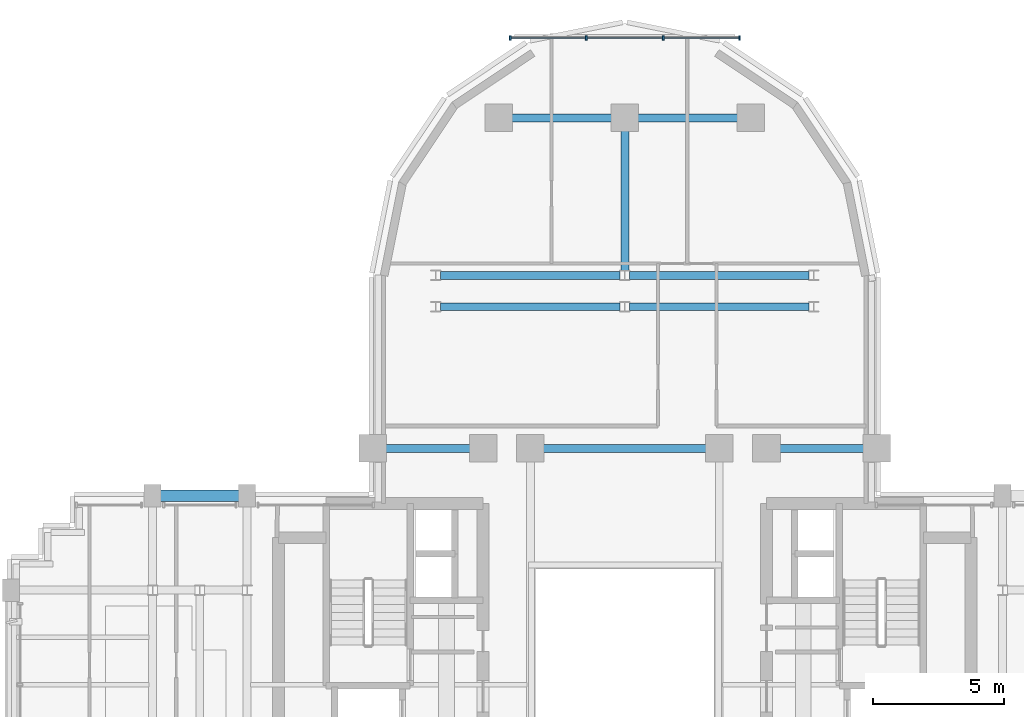
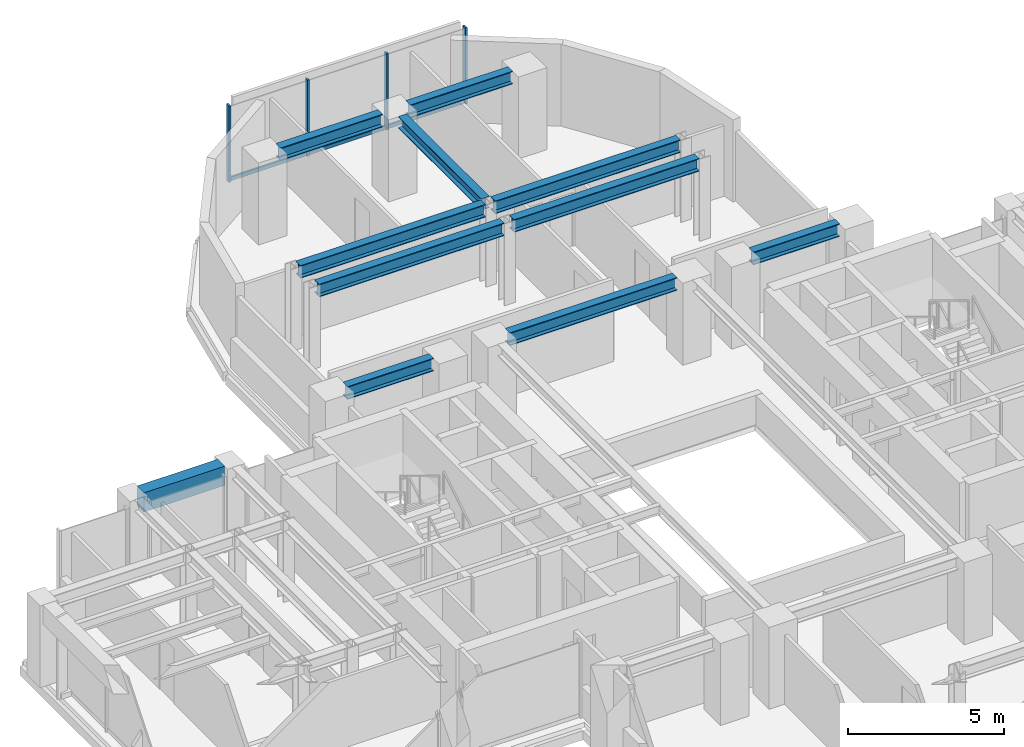
# One storey, part 6 of 14: 11 beams, 7 members, 1 element without a shape of its own.
"""IFC4 building model written with IfcOpenShell, lengths in metres."""

from ifc_helpers import new_model, si_unit, direction, frame, origin, origin_2d, place, context, subcontext, project, spatial, rectangle, i_section, extrude, source, transform, mapped, material, material_profile, profile_set, type_object, element, aggregate, save


model = new_model("IFC4")

# Units and contexts
model_context = context("Model", 3, precision=1e-05, world=origin(), true_north=direction((0.0, 1.0)))
body_context = subcontext(model_context, "Body", "Model", "MODEL_VIEW")
ifc_project = project(units=[si_unit("LENGTHUNIT", "METRE"), si_unit("AREAUNIT", "SQUARE_METRE"), si_unit("VOLUMEUNIT", "CUBIC_METRE"), si_unit("PLANEANGLEUNIT", "RADIAN"), si_unit("MASSUNIT", "GRAM", prefix="KILO")], contexts=[model_context])

# Site, building, storey
site_placement = place(None, origin())
site = spatial("IfcSite", under=ifc_project, at=site_placement, CompositionType="ELEMENT")
building_placement = place(site_placement, origin())
building = spatial("IfcBuilding", under=site, at=building_placement, Name="Keilestroom Media Tower", CompositionType="ELEMENT")
storey_placement = place(building_placement, frame((0.0, 0.0, 121.0)))
storey = spatial("IfcBuildingStorey", under=building, at=storey_placement, Name="L32", CompositionType="ELEMENT", Elevation=121.0)

# Beams
ifc_material_1 = material(Name="Steel S355", Category="steel")
ifc_material_profile_1 = material_profile(ifc_material_1, i_section(OverallWidth=0.300048828125, OverallDepth=0.5, WebThickness=0.012451171875, FlangeThickness=0.028076171875, at=origin_2d()), Name="HEB 500")
ifc_profile_set_1 = profile_set([ifc_material_profile_1], Name="Steel S355")
beam_type_1 = type_object("IfcBeamType", Name="Primary-Structural-Girder-HEB-500", PredefinedType="BEAM", material=ifc_profile_set_1)
shared_shape_1 = source(origin(), body_context, "Body", "SweptSolid", [
    extrude(i_section(OverallWidth=0.300048828125, OverallDepth=0.5, WebThickness=0.012451171875, FlangeThickness=0.028076171875, at=origin_2d()), origin(), (0.0, 0.0, 1.0), 3.7900390625),
])
for number, where, z_axis, x_axis, name in (
    (1, (-4.294921875, 21.60009765625, 2.949951171875), (1.0, 0.0, 0.0), (0.0, 1.0, 0.0), "L32 Beam BG-6 BM-L32-EW-037"),
    (2, (0.5048828125, 21.60009765625, 2.949951171875), (1.0, 0.0, 0.0), (0.0, 1.0, 0.0), "L32 Beam BG-6 BM-L32-EW-038"),
):
    element("IfcBeam", number, at=place(storey_placement, frame(where, z_axis=z_axis, x_axis=x_axis)), inside=storey, type_object=beam_type_1, Name=name, PredefinedType="BEAM", context=body_context, shape_type="MappedRepresentation", body=[
        mapped(shared_shape_1, transform((0.0, 0.0, 0.0), x_axis=(1.0, 0.0, 0.0), y_axis=(0.0, 1.0, 0.0), z_axis=(0.0, 0.0, 1.0), scale=1.0)),
    ])
shared_shape_2 = source(origin(), body_context, "Body", "SweptSolid", [
    extrude(i_section(OverallWidth=0.300048828125, OverallDepth=0.5, WebThickness=0.012451171875, FlangeThickness=0.028076171875, at=origin_2d()), origin(), (0.0, 0.0, 1.0), 6.839111328125),
])
for number, where, z_axis, x_axis, name in (
    (3, (-7.01953125, 14.39990234375, 2.949951171875), (1.0, 0.0, 0.0), (0.0, 1.0, 0.0), "L32 Beam BG-6 BM-L32-EW-033"),
    (4, (0.180419921875, 14.39990234375, 2.949951171875), (1.0, 0.0, 0.0), (0.0, 1.0, 0.0), "L32 Beam BG-6 BM-L32-EW-034"),
    (5, (-7.01953125, 15.60009765625, 2.949951171875), (1.0, 0.0, 0.0), (0.0, 1.0, 0.0), "L32 Beam BG-6 BM-L32-EW-035"),
    (6, (0.180419921875, 15.60009765625, 2.949951171875), (1.0, 0.0, 0.0), (0.0, 1.0, 0.0), "L32 Beam BG-6 BM-L32-EW-036"),
):
    element("IfcBeam", number, at=place(storey_placement, frame(where, z_axis=z_axis, x_axis=x_axis)), inside=storey, type_object=beam_type_1, Name=name, PredefinedType="BEAM", context=body_context, shape_type="MappedRepresentation", body=[
        mapped(shared_shape_2, transform((0.0, 0.0, 0.0), x_axis=(1.0, 0.0, 0.0), y_axis=(0.0, 1.0, 0.0), z_axis=(0.0, 0.0, 1.0), scale=1.0)),
    ])
shared_shape_3 = source(origin(), body_context, "Body", "SweptSolid", [
    extrude(i_section(OverallWidth=0.300048828125, OverallDepth=0.5, WebThickness=0.012451171875, FlangeThickness=0.028076171875, at=origin_2d()), origin(), (0.0, 0.0, 1.0), 3.18994140625),
])
for number, where, z_axis, x_axis, name in (
    (7, (-9.094970703125, 9.0, 2.949951171875), (1.0, 0.0, 0.0), (0.0, 1.0, 0.0), "L32 Beam BG-6 BM-L32-EW-028"),
    (8, (5.905029296875, 9.0, 2.949951171875), (1.0, 0.0, 0.0), (0.0, 1.0, 0.0), "L32 Beam BG-6 BM-L32-EW-032"),
):
    element("IfcBeam", number, at=place(storey_placement, frame(where, z_axis=z_axis, x_axis=x_axis)), inside=storey, type_object=beam_type_1, Name=name, PredefinedType="BEAM", context=body_context, shape_type="MappedRepresentation", body=[
        mapped(shared_shape_3, transform((0.0, 0.0, 0.0), x_axis=(1.0, 0.0, 0.0), y_axis=(0.0, 1.0, 0.0), z_axis=(0.0, 0.0, 1.0), scale=1.0)),
    ])
shared_shape_4 = source(origin(), body_context, "Body", "SweptSolid", [
    extrude(i_section(OverallWidth=0.300048828125, OverallDepth=0.5, WebThickness=0.012451171875, FlangeThickness=0.028076171875, at=origin_2d()), origin(), (0.0, 0.0, 1.0), 6.18994140625),
])
beam_1_placement = place(storey_placement, frame((-3.094970703125, 9.0, 2.949951171875), z_axis=(1.0, 0.0, 0.0), x_axis=(0.0, 1.0, 0.0)))
element("IfcBeam", 9, at=beam_1_placement, inside=storey, type_object=beam_type_1, Name="L32 Beam BG-6 BM-L32-EW-030", PredefinedType="BEAM", context=body_context, shape_type="MappedRepresentation", body=[
    mapped(shared_shape_4, transform((0.0, 0.0, 0.0), x_axis=(1.0, 0.0, 0.0), y_axis=(0.0, 1.0, 0.0), z_axis=(0.0, 0.0, 1.0), scale=1.0)),
])
ifc_material_2 = material(Name="Precast concrete C40/50", Category="concrete")
ifc_material_profile_2 = material_profile(ifc_material_2, rectangle(XDim=0.449951171875, YDim=0.75, at=origin_2d()), Name="PC 450x750")
ifc_profile_set_2 = profile_set([ifc_material_profile_2], Name="Precast concrete C40/50")
beam_type_2 = type_object("IfcBeamType", Name="Perimeter-Spandrel-Beam-PC-450x750", PredefinedType="SPANDREL", material=ifc_profile_set_2)
shared_shape_5 = source(origin(), body_context, "Body", "SweptSolid", [
    extrude(rectangle(XDim=0.449951171875, YDim=0.75, at=origin_2d()), origin(), (0.0, 0.0, 1.0), 2.989990234375),
])
beam_2_placement = place(storey_placement, frame((-17.695068359375, 7.199951171875, 2.824951171875), z_axis=(1.0, 0.0, 0.0), x_axis=(0.0, 1.0, 0.0)))
element("IfcBeam", 10, at=beam_2_placement, inside=storey, type_object=beam_type_2, Name="L32 Beam SPB-1 BM-L32-EW-026", PredefinedType="SPANDREL", context=body_context, shape_type="MappedRepresentation", body=[
    mapped(shared_shape_5, transform((0.0, 0.0, 0.0), x_axis=(1.0, 0.0, 0.0), y_axis=(0.0, 1.0, 0.0), z_axis=(0.0, 0.0, 1.0), scale=1.0)),
])
ifc_material_profile_3 = material_profile(ifc_material_1, i_section(OverallWidth=0.300048828125, OverallDepth=0.449951171875, WebThickness=0.011962890625, FlangeThickness=0.02587890625, at=origin_2d()), Name="HEB 450")
ifc_profile_set_3 = profile_set([ifc_material_profile_3], Name="Steel S355")
beam_type_3 = type_object("IfcBeamType", Name="Primary-Structural-Girder-HEB-450", PredefinedType="BEAM", material=ifc_profile_set_3)
shared_shape_6 = source(origin(), body_context, "Body", "SweptSolid", [
    extrude(i_section(OverallWidth=0.300048828125, OverallDepth=0.449951171875, WebThickness=0.011962890625, FlangeThickness=0.02587890625, at=origin_2d()), origin(), (0.0, 0.0, 1.0), 5.3154296875),
])
beam_3_placement = place(storey_placement, frame((0.0, 15.779541015625, 2.97509765625), z_axis=(0.0, 1.0, 0.0), x_axis=(-1.0, 0.0, 0.0)))
element("IfcBeam", 11, at=beam_3_placement, inside=storey, type_object=beam_type_3, Name="L32 Beam BG-7 BM-L32-NS-055", PredefinedType="BEAM", context=body_context, shape_type="MappedRepresentation", body=[
    mapped(shared_shape_6, transform((0.0, 0.0, 0.0), x_axis=(1.0, 0.0, 0.0), y_axis=(0.0, 1.0, 0.0), z_axis=(0.0, 0.0, 1.0), scale=1.0)),
])

# Curtain wall, members
ifc_material_3 = material(Name="Anodised Aluminium Alloy", Category="aluminium")
curtain_wall_type = type_object("IfcCurtainWallType", Name="Unitised-Curtain-Wall-CW-6", PredefinedType="NOTDEFINED", material=ifc_material_3)
curtain_wall_placement = place(storey_placement, origin())
curtain_wall = element("IfcCurtainWall", 12, at=curtain_wall_placement, inside=storey, type_object=curtain_wall_type, Name="L32 Curtain Wall CW-6 CW-L32-LN-1", PredefinedType="NOTDEFINED")
ifc_material_profile_4 = material_profile(ifc_material_3, rectangle(XDim=0.06494140625, YDim=0.179931640625, at=origin_2d()), Name="ALU MULLION 65x180")
ifc_profile_set_4 = profile_set([ifc_material_profile_4], Name="Anodised Aluminium Alloy")
member_type_1 = type_object("IfcMemberType", Name="Curtain-Wall-Mullion-CW-6", PredefinedType="MULLION", material=ifc_profile_set_4)
shared_shape_7 = source(origin(), body_context, "Body", "SweptSolid", [
    extrude(rectangle(XDim=0.06494140625, YDim=0.179931640625, at=origin_2d()), origin(), (0.0, 0.0, 1.0), 2.97998046875),
])
member_1_placement = place(storey_placement, frame((-4.367431640625, 24.64990234375, 0.0), z_axis=(0.0, 0.0, 1.0), x_axis=(1.0, 0.0, 0.0)))
member_1 = element("IfcMember", 13, at=member_1_placement, type_object=member_type_1, Name="CW-6 Mullion 00", PredefinedType="MULLION", context=body_context, shape_type="MappedRepresentation", body=[
    mapped(shared_shape_7, transform((0.0, 0.0, 0.0), x_axis=(1.0, 0.0, 0.0), y_axis=(0.0, 1.0, 0.0), z_axis=(0.0, 0.0, 1.0), scale=1.0)),
])
member_2_placement = place(storey_placement, frame((-1.466796875, 24.64990234375, 0.0), z_axis=(0.0, 0.0, 1.0), x_axis=(1.0, 0.0, 0.0)))
member_2 = element("IfcMember", 14, at=member_2_placement, type_object=member_type_1, Name="CW-6 Mullion 01", PredefinedType="MULLION", context=body_context, shape_type="MappedRepresentation", body=[
    mapped(shared_shape_7, transform((0.0, 0.0, 0.0), x_axis=(1.0, 0.0, 0.0), y_axis=(0.0, 1.0, 0.0), z_axis=(0.0, 0.0, 1.0), scale=1.0)),
])
member_3_placement = place(storey_placement, frame((1.466796875, 24.64990234375, 0.0), z_axis=(0.0, 0.0, 1.0), x_axis=(1.0, 0.0, 0.0)))
member_3 = element("IfcMember", 15, at=member_3_placement, type_object=member_type_1, Name="CW-6 Mullion 02", PredefinedType="MULLION", context=body_context, shape_type="MappedRepresentation", body=[
    mapped(shared_shape_7, transform((0.0, 0.0, 0.0), x_axis=(1.0, 0.0, 0.0), y_axis=(0.0, 1.0, 0.0), z_axis=(0.0, 0.0, 1.0), scale=1.0)),
])
member_4_placement = place(storey_placement, frame((4.367431640625, 24.64990234375, 0.0), z_axis=(0.0, 0.0, 1.0), x_axis=(1.0, 0.0, 0.0)))
member_4 = element("IfcMember", 16, at=member_4_placement, type_object=member_type_1, Name="CW-6 Mullion 03", PredefinedType="MULLION", context=body_context, shape_type="MappedRepresentation", body=[
    mapped(shared_shape_7, transform((0.0, 0.0, 0.0), x_axis=(1.0, 0.0, 0.0), y_axis=(0.0, 1.0, 0.0), z_axis=(0.0, 0.0, 1.0), scale=1.0)),
])
ifc_material_profile_5 = material_profile(ifc_material_3, rectangle(XDim=0.06494140625, YDim=0.14990234375, at=origin_2d()), Name="ALU TRANSOM 65x150")
ifc_profile_set_5 = profile_set([ifc_material_profile_5], Name="Anodised Aluminium Alloy")
member_type_2 = type_object("IfcMemberType", Name="Curtain-Wall-Transom-CW-6", PredefinedType="USERDEFINED", material=ifc_profile_set_5)
shared_shape_8 = source(origin(), body_context, "Body", "SweptSolid", [
    extrude(rectangle(XDim=0.06494140625, YDim=0.14990234375, at=origin_2d()), origin(), (0.0, 0.0, 1.0), 2.839599609375),
])
member_5_placement = place(storey_placement, frame((-4.3369140625, 24.64990234375, 0.074951171875), z_axis=(1.0, 0.0, 0.0), x_axis=(0.0, 1.0, 0.0)))
member_5 = element("IfcMember", 17, at=member_5_placement, type_object=member_type_2, Name="CW-6 Transom 00.1", ObjectType="TRANSOM", PredefinedType="USERDEFINED", context=body_context, shape_type="MappedRepresentation", body=[
    mapped(shared_shape_8, transform((0.0, 0.0, 0.0), x_axis=(1.0, 0.0, 0.0), y_axis=(0.0, 1.0, 0.0), z_axis=(0.0, 0.0, 1.0), scale=1.0)),
])
member_6_placement = place(storey_placement, frame((1.497314453125, 24.64990234375, 0.074951171875), z_axis=(1.0, 0.0, 0.0), x_axis=(0.0, 1.0, 0.0)))
member_6 = element("IfcMember", 18, at=member_6_placement, type_object=member_type_2, Name="CW-6 Transom 02.1", ObjectType="TRANSOM", PredefinedType="USERDEFINED", context=body_context, shape_type="MappedRepresentation", body=[
    mapped(shared_shape_8, transform((0.0, 0.0, 0.0), x_axis=(1.0, 0.0, 0.0), y_axis=(0.0, 1.0, 0.0), z_axis=(0.0, 0.0, 1.0), scale=1.0)),
])
shared_shape_9 = source(origin(), body_context, "Body", "SweptSolid", [
    extrude(rectangle(XDim=0.06494140625, YDim=0.14990234375, at=origin_2d()), origin(), (0.0, 0.0, 1.0), 2.87255859375),
])
member_7_placement = place(storey_placement, frame((-1.436279296875, 24.64990234375, 0.074951171875), z_axis=(1.0, 0.0, 0.0), x_axis=(0.0, 1.0, 0.0)))
member_7 = element("IfcMember", 19, at=member_7_placement, type_object=member_type_2, Name="CW-6 Transom 01.1", ObjectType="TRANSOM", PredefinedType="USERDEFINED", context=body_context, shape_type="MappedRepresentation", body=[
    mapped(shared_shape_9, transform((0.0, 0.0, 0.0), x_axis=(1.0, 0.0, 0.0), y_axis=(0.0, 1.0, 0.0), z_axis=(0.0, 0.0, 1.0), scale=1.0)),
])
aggregate(curtain_wall, [member_1, member_2, member_3, member_4, member_5, member_7, member_6])

save(model, "model.ifc")
